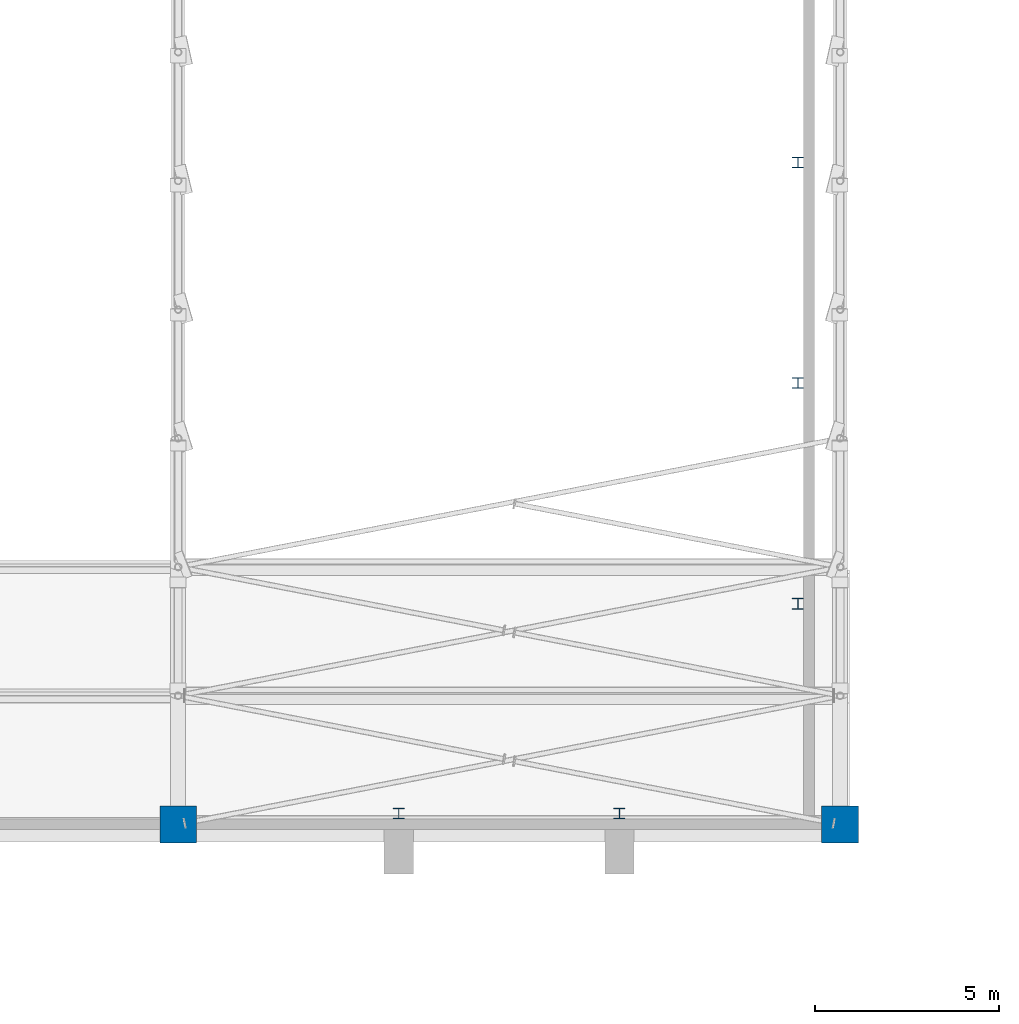
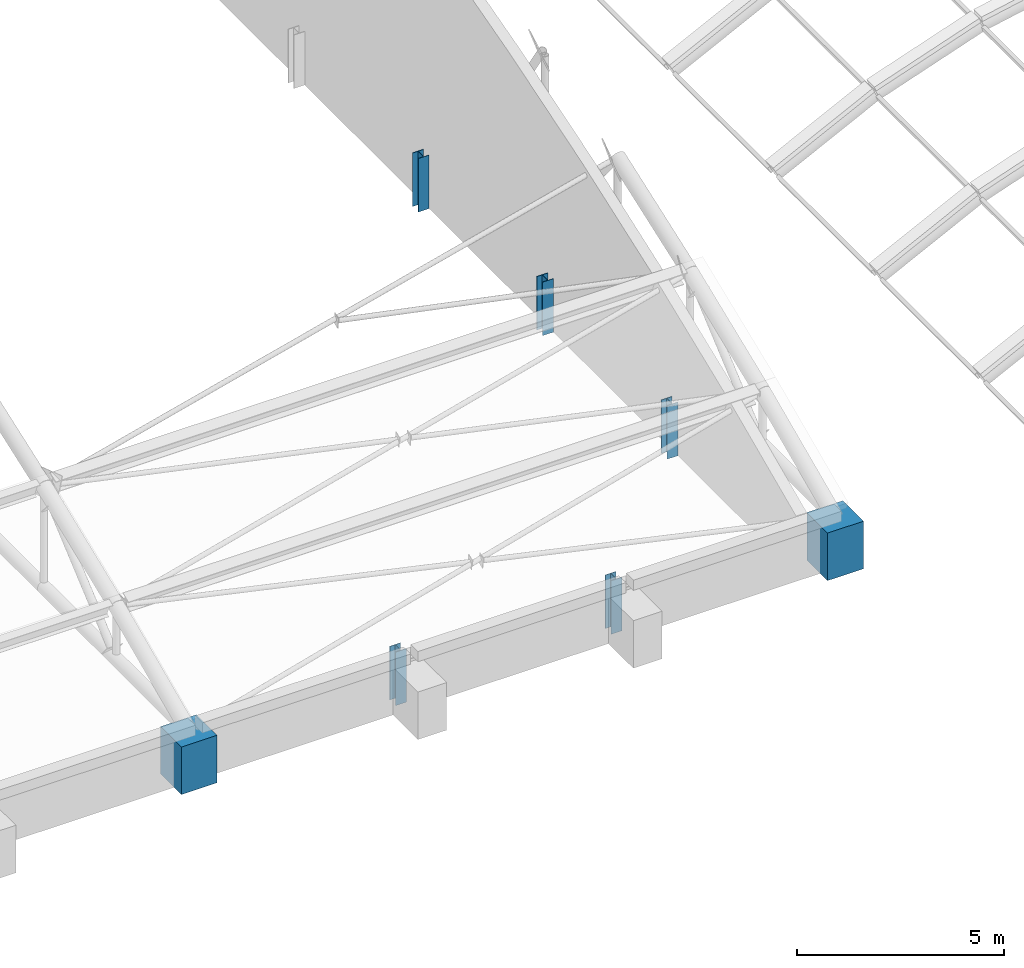
# One storey, part 15 of 196: 7 columns.
"""IFC4 building model written with IfcOpenShell, lengths in metres."""

from ifc_helpers import new_model, si_unit, direction, frame, origin, origin_2d, place, context, subcontext, project, spatial, rectangle, i_section, extrude, material, material_profile, profile_set, type_object, element, save


model = new_model("IFC4")

# Units and contexts
model_context = context("Model", 3, precision=1e-05, world=origin(), true_north=direction((0.0, 1.0)))
body_context = subcontext(model_context, "Body", "Model", "MODEL_VIEW")
ifc_project = project(units=[si_unit("LENGTHUNIT", "METRE"), si_unit("AREAUNIT", "SQUARE_METRE"), si_unit("VOLUMEUNIT", "CUBIC_METRE"), si_unit("PLANEANGLEUNIT", "RADIAN"), si_unit("MASSUNIT", "GRAM", prefix="KILO")], contexts=[model_context])

# Site, building, storey
site_placement = place(None, origin())
site = spatial("IfcSite", under=ifc_project, at=site_placement, CompositionType="ELEMENT")
building_placement = place(site_placement, origin())
building = spatial("IfcBuilding", under=site, at=building_placement, Name="Okhra Congress Centre", CompositionType="ELEMENT")
storey_placement = place(building_placement, frame((0.0, 0.0, 12.0)))
storey = spatial("IfcBuildingStorey", under=building, at=storey_placement, Name="L02", CompositionType="ELEMENT", Elevation=12.0)

# Columns
ifc_material_1 = material(Name="Steel S355J2", Category="steel")
ifc_material_profile_1 = material_profile(ifc_material_1, i_section(OverallWidth=0.300048828125, OverallDepth=0.2900390625, WebThickness=0.008544921875, FlangeThickness=0.013916015625, at=origin_2d()), Name="HE 300 A")
ifc_profile_set_1 = profile_set([ifc_material_profile_1], Name="Steel S355J2")
column_type_1 = type_object("IfcColumnType", Name="HE 300 A", PredefinedType="COLUMN", material=ifc_profile_set_1)
for number, where, z_axis, x_axis, name in (
    (1, (142.0, 132.300048828125, 0.0), (0.0, 0.0, 1.0), (1.0, 0.0, 0.0), "EH.COL.L02.WP13"),
    (2, (148.0, 132.300048828125, 0.0), (0.0, 0.0, 1.0), (1.0, 0.0, 0.0), "EH.COL.L02.WP14"),
    (3, (152.85009765625, 138.0, 0.0), (0.0, 0.0, 1.0), (1.0, 0.0, 0.0), "EH.COL.L02.WP16"),
    (4, (152.85009765625, 144.0, 0.0), (0.0, 0.0, 1.0), (1.0, 0.0, 0.0), "EH.COL.L02.WP18"),
    (5, (152.85009765625, 150.0, 0.0), (0.0, 0.0, 1.0), (1.0, 0.0, 0.0), "EH.COL.L02.WP20"),
):
    element("IfcColumn", number, at=place(storey_placement, frame(where, z_axis=z_axis, x_axis=x_axis)), inside=storey, type_object=column_type_1, Name=name, PredefinedType="COLUMN", context=body_context, shape_type="SweptSolid", body=[
        extrude(i_section(OverallWidth=0.300048828125, OverallDepth=0.2900390625, WebThickness=0.008544921875, FlangeThickness=0.013916015625, at=origin_2d()), origin(), (0.0, 0.0, 1.0), 1.57666015625),
    ])
ifc_material_2 = material(Name="Concrete C40/50", Category="concrete")
ifc_material_profile_2 = material_profile(ifc_material_2, rectangle(XDim=1.0, YDim=1.0, at=origin_2d()), Name="RC 1000x1000")
ifc_profile_set_2 = profile_set([ifc_material_profile_2], Name="Concrete C40/50")
column_type_2 = type_object("IfcColumnType", Name="RC column 1000x1000 C40/50", PredefinedType="COLUMN", material=ifc_profile_set_2)
for number, where, z_axis, x_axis, name in (
    (6, (136.0, 132.0, 0.0), (0.0, 0.0, 1.0), (1.0, 0.0, 0.0), "EH.COL.L02.SC13"),
    (7, (154.0, 132.0, 0.0), (0.0, 0.0, 1.0), (1.0, 0.0, 0.0), "EH.COL.L02.SC15"),
):
    element("IfcColumn", number, at=place(storey_placement, frame(where, z_axis=z_axis, x_axis=x_axis)), inside=storey, type_object=column_type_2, Name=name, PredefinedType="COLUMN", context=body_context, shape_type="SweptSolid", body=[
        extrude(rectangle(XDim=1.0, YDim=1.0, at=origin_2d()), origin(), (0.0, 0.0, 1.0), 1.39990234375),
    ])

save(model, "model.ifc")
